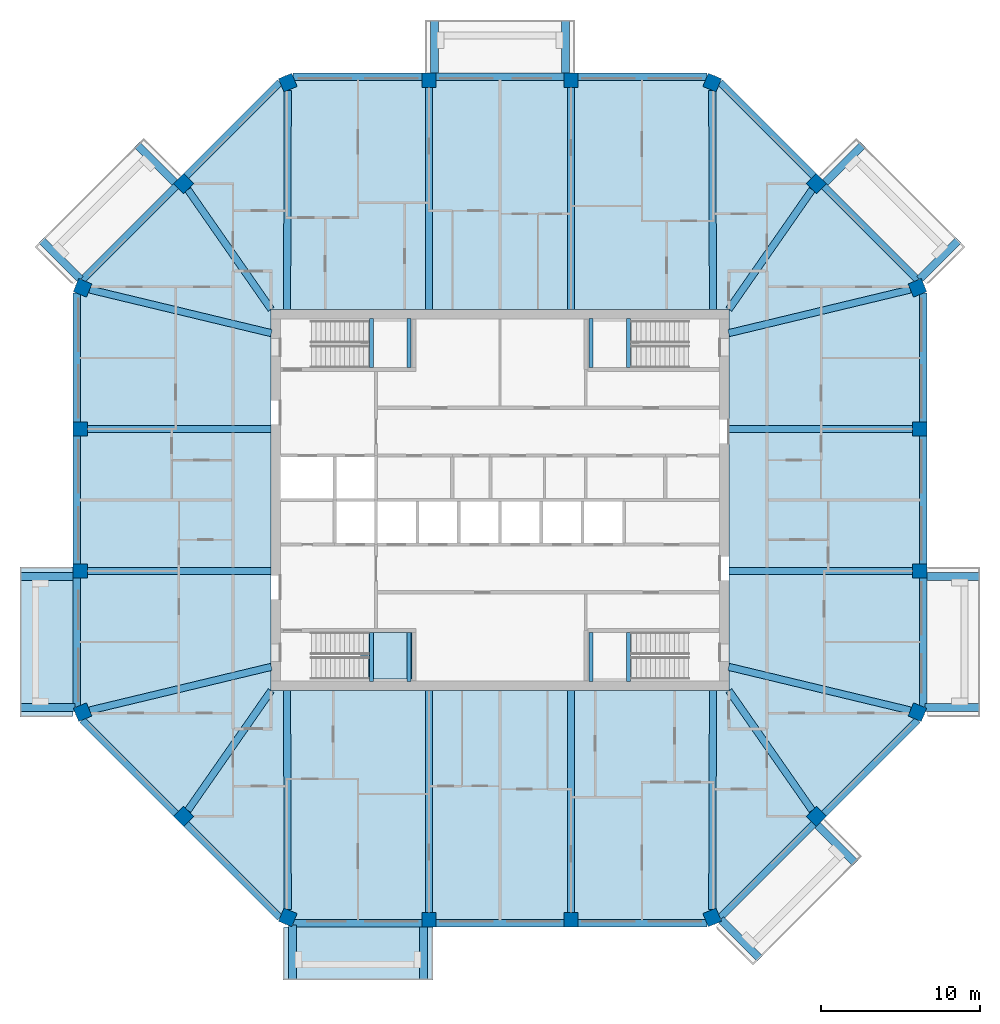
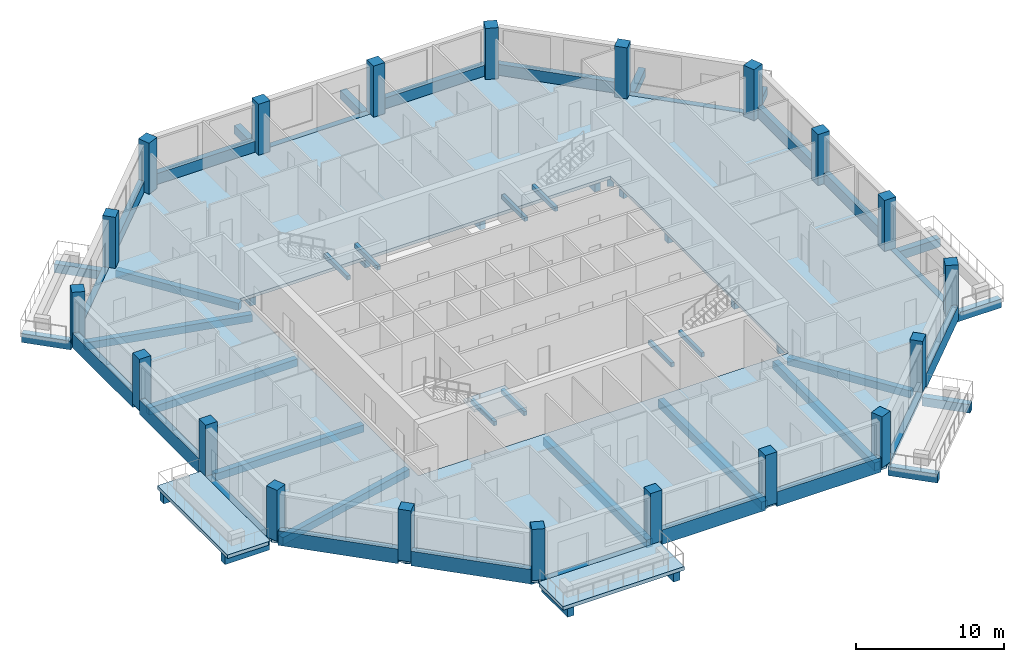
# One storey, part 1 of 11: 62 beams, 20 columns, 4 slabs, 1 element without a shape of its own.
"""IFC4 building model written with IfcOpenShell, lengths in metres."""

from ifc_helpers import new_model, si_unit, direction, frame, origin, origin_2d, place, context, subcontext, project, spatial, polyline, rectangle, outline, extrude, material, layer, layer_set, material_profile, profile_set, type_object, element, aggregate, save


model = new_model("IFC4")

# Units and contexts
model_context = context("Model", 3, precision=1e-05, world=origin(), true_north=direction((0.0, 1.0)))
body_context = subcontext(model_context, "Body", "Model", "MODEL_VIEW")
ifc_project = project(units=[si_unit("LENGTHUNIT", "METRE"), si_unit("AREAUNIT", "SQUARE_METRE"), si_unit("VOLUMEUNIT", "CUBIC_METRE"), si_unit("PLANEANGLEUNIT", "RADIAN"), si_unit("MASSUNIT", "GRAM", prefix="KILO")], contexts=[model_context])

# Site, building, storey
site_placement = place(None, origin())
site = spatial("IfcSite", under=ifc_project, at=site_placement, CompositionType="ELEMENT")
building_placement = place(site_placement, origin())
building = spatial("IfcBuilding", under=site, at=building_placement, Name="Msitu Wima Residences", CompositionType="ELEMENT")
storey_placement = place(building_placement, frame((0.0, 0.0, 230.699951171875)))
storey = spatial("IfcBuildingStorey", under=building, at=storey_placement, Name="L53", CompositionType="ELEMENT", Elevation=230.699951171875)

# Columns
ifc_material_1 = material(Name="Concrete C50/60", Category="concrete")
ifc_material_profile_1 = material_profile(ifc_material_1, rectangle(XDim=0.89990234375, YDim=0.89990234375, at=origin_2d()), Name="RC 900x900")
ifc_profile_set_1 = profile_set([ifc_material_profile_1], Name="Concrete C50/60")
column_type = type_object("IfcColumnType", Name="Column RC 900x900 Concrete C50/60", PredefinedType="COLUMN", material=ifc_profile_set_1)
for number, where, z_axis, x_axis, name in (
    (1, (26.261962890625, -13.3486328125, 0.0), (0.0, 0.0, 1.0), (0.382683496864, 0.923879505795, 0.0), "Column L53 C-E0"),
    (2, (26.39990234375, -4.46875, 0.0), (0.0, 0.0, 1.0), (0.0, 1.0, 0.0), "Column L53 C-E1"),
    (3, (26.39990234375, 4.46875, 0.0), (0.0, 0.0, 1.0), (0.0, 1.0, 0.0), "Column L53 C-E2"),
    (4, (26.261962890625, 13.3486328125, 0.0), (0.0, 0.0, 1.0), (-0.382683496864, 0.923879505795, 0.0), "Column L53 C-NE0"),
    (5, (19.90283203125, 19.90283203125, 0.0), (0.0, 0.0, 1.0), (-0.707106781187, 0.707106781187, 0.0), "Column L53 C-NE1"),
    (6, (13.3486328125, 26.261962890625, 0.0), (0.0, 0.0, 1.0), (-0.923879505795, 0.382683496864, 0.0), "Column L53 C-N0"),
    (7, (4.46875, 26.39990234375, 0.0), (0.0, 0.0, 1.0), (-1.0, 0.0, 0.0), "Column L53 C-N1"),
    (8, (-4.46875, 26.39990234375, 0.0), (0.0, 0.0, 1.0), (-1.0, 0.0, 0.0), "Column L53 C-N2"),
    (9, (-13.3486328125, 26.261962890625, 0.0), (0.0, 0.0, 1.0), (-0.923879505795, -0.382683496864, 0.0), "Column L53 C-NW0"),
    (10, (-19.90283203125, 19.90283203125, 0.0), (0.0, 0.0, 1.0), (-0.707106781187, -0.707106781187, 0.0), "Column L53 C-NW1"),
    (11, (-26.261962890625, 13.3486328125, 0.0), (0.0, 0.0, 1.0), (-0.382683496864, -0.923879505795, 0.0), "Column L53 C-W0"),
    (12, (-26.39990234375, 4.46875, 0.0), (0.0, 0.0, 1.0), (0.0, -1.0, 0.0), "Column L53 C-W1"),
    (13, (-26.39990234375, -4.46875, 0.0), (0.0, 0.0, 1.0), (0.0, -1.0, 0.0), "Column L53 C-W2"),
    (14, (-26.261962890625, -13.3486328125, 0.0), (0.0, 0.0, 1.0), (0.382683496864, -0.923879505795, 0.0), "Column L53 C-SW0"),
    (15, (-19.90283203125, -19.90283203125, 0.0), (0.0, 0.0, 1.0), (0.707106781187, -0.707106781187, 0.0), "Column L53 C-SW1"),
    (16, (-13.3486328125, -26.261962890625, 0.0), (0.0, 0.0, 1.0), (0.923879505795, -0.382683496864, 0.0), "Column L53 C-S0"),
    (17, (-4.46875, -26.39990234375, 0.0), (0.0, 0.0, 1.0), (1.0, 0.0, 0.0), "Column L53 C-S1"),
    (18, (4.46875, -26.39990234375, 0.0), (0.0, 0.0, 1.0), (1.0, 0.0, 0.0), "Column L53 C-S2"),
    (19, (13.3486328125, -26.261962890625, 0.0), (0.0, 0.0, 1.0), (0.923879505795, 0.382683496864, 0.0), "Column L53 C-SE0"),
    (20, (19.90283203125, -19.90283203125, 0.0), (0.0, 0.0, 1.0), (0.707106781187, 0.707106781187, 0.0), "Column L53 C-SE1"),
):
    element("IfcColumn", number, at=place(storey_placement, frame(where, z_axis=z_axis, x_axis=x_axis)), inside=storey, type_object=column_type, Name=name, PredefinedType="COLUMN", context=body_context, shape_type="SweptSolid", body=[
        extrude(rectangle(XDim=0.89990234375, YDim=0.89990234375, at=origin_2d()), origin(), (0.0, 0.0, 1.0), 4.199951171875),
    ])

# Beams
ifc_material_profile_2 = material_profile(ifc_material_1, rectangle(XDim=0.449951171875, YDim=0.60009765625, at=origin_2d()), Name="RC 450x600")
ifc_profile_set_2 = profile_set([ifc_material_profile_2], Name="Concrete C50/60")
beam_type_1 = type_object("IfcBeamType", Name="Beam RC 450x600 Concrete C50/60", PredefinedType="BEAM", material=ifc_profile_set_2)
beam_1_placement = place(storey_placement, frame((25.819091796875, -13.242431640625, -0.550048828125), z_axis=(-0.972353359268, 0.233514335148, 0.0), x_axis=(-0.233514335148, -0.972353359268, 0.0)))
element("IfcBeam", 21, at=beam_1_placement, inside=storey, type_object=beam_type_1, Name="Beam L53 C-E0", PredefinedType="BEAM", context=body_context, shape_type="SweptSolid", body=[
    extrude(rectangle(XDim=0.449951171875, YDim=0.60009765625, at=origin_2d()), origin(), (0.0, 0.0, 1.0), 11.755615234375),
])
for number, where, z_axis, x_axis, name in (
    (22, (25.949951171875, -4.46875, -0.550048828125), (-1.0, 0.0, 0.0), (0.0, -1.0, 0.0), "Beam L53 C-E1"),
    (23, (25.949951171875, 4.46875, -0.550048828125), (-1.0, 0.0, 0.0), (0.0, -1.0, 0.0), "Beam L53 C-E2"),
):
    element("IfcBeam", number, at=place(storey_placement, frame(where, z_axis=z_axis, x_axis=x_axis)), inside=storey, type_object=beam_type_1, Name=name, PredefinedType="BEAM", context=body_context, shape_type="SweptSolid", body=[
        extrude(rectangle(XDim=0.449951171875, YDim=0.60009765625, at=origin_2d()), origin(), (0.0, 0.0, 1.0), 11.550048828125),
    ])
beam_2_placement = place(storey_placement, frame((25.819091796875, 13.242431640625, -0.550048828125), z_axis=(-0.972353359268, -0.233514335148, 0.0), x_axis=(0.233514335148, -0.972353359268, 0.0)))
element("IfcBeam", 24, at=beam_2_placement, inside=storey, type_object=beam_type_1, Name="Beam L53 C-NE0", PredefinedType="BEAM", context=body_context, shape_type="SweptSolid", body=[
    extrude(rectangle(XDim=0.449951171875, YDim=0.60009765625, at=origin_2d()), origin(), (0.0, 0.0, 1.0), 11.755615234375),
])
for number, where, z_axis, x_axis, name in (
    (25, (19.6416015625, 19.52783203125, -0.550048828125), (-0.571427822633, -0.820652328042, 0.0), (0.820652328042, -0.571427822633, 0.0), "Beam L53 C-NE1"),
    (26, (-19.6416015625, 19.52783203125, -0.550048828125), (0.571427822633, -0.820652328042, 0.0), (0.820652328042, 0.571427822633, 0.0), "Beam L53 C-NW1"),
):
    element("IfcBeam", number, at=place(storey_placement, frame(where, z_axis=z_axis, x_axis=x_axis)), inside=storey, type_object=beam_type_1, Name=name, PredefinedType="BEAM", context=body_context, shape_type="SweptSolid", body=[
        extrude(rectangle(XDim=0.449951171875, YDim=0.60009765625, at=origin_2d()), origin(), (0.0, 0.0, 1.0), 9.173095703125),
    ])
beam_3_placement = place(storey_placement, frame((-25.819091796875, 13.242431640625, -0.550048828125), z_axis=(0.972353359268, -0.233514335148, 0.0), x_axis=(0.233514335148, 0.972353359268, 0.0)))
element("IfcBeam", 27, at=beam_3_placement, inside=storey, type_object=beam_type_1, Name="Beam L53 C-W0", PredefinedType="BEAM", context=body_context, shape_type="SweptSolid", body=[
    extrude(rectangle(XDim=0.449951171875, YDim=0.60009765625, at=origin_2d()), origin(), (0.0, 0.0, 1.0), 11.755615234375),
])
for number, where, z_axis, x_axis, name in (
    (28, (-25.949951171875, 4.46875, -0.550048828125), (1.0, 0.0, 0.0), (0.0, 1.0, 0.0), "Beam L53 C-W1"),
    (29, (-25.949951171875, -4.46875, -0.550048828125), (1.0, 0.0, 0.0), (0.0, 1.0, 0.0), "Beam L53 C-W2"),
):
    element("IfcBeam", number, at=place(storey_placement, frame(where, z_axis=z_axis, x_axis=x_axis)), inside=storey, type_object=beam_type_1, Name=name, PredefinedType="BEAM", context=body_context, shape_type="SweptSolid", body=[
        extrude(rectangle(XDim=0.449951171875, YDim=0.60009765625, at=origin_2d()), origin(), (0.0, 0.0, 1.0), 11.550048828125),
    ])
beam_4_placement = place(storey_placement, frame((-25.819091796875, -13.242431640625, -0.550048828125), z_axis=(0.972353359268, 0.233514335148, 0.0), x_axis=(-0.233514335148, 0.972353359268, 0.0)))
element("IfcBeam", 30, at=beam_4_placement, inside=storey, type_object=beam_type_1, Name="Beam L53 C-SW0", PredefinedType="BEAM", context=body_context, shape_type="SweptSolid", body=[
    extrude(rectangle(XDim=0.449951171875, YDim=0.60009765625, at=origin_2d()), origin(), (0.0, 0.0, 1.0), 11.755615234375),
])
for number, where, z_axis, x_axis, name in (
    (31, (-19.6416015625, -19.52783203125, -0.550048828125), (0.571427822633, 0.820652328042, 0.0), (-0.820652328042, 0.571427822633, 0.0), "Beam L53 C-SW1"),
    (32, (19.6416015625, -19.52783203125, -0.550048828125), (-0.571427822633, 0.820652328042, 0.0), (-0.820652328042, -0.571427822633, 0.0), "Beam L53 C-SE1"),
):
    element("IfcBeam", number, at=place(storey_placement, frame(where, z_axis=z_axis, x_axis=x_axis)), inside=storey, type_object=beam_type_1, Name=name, PredefinedType="BEAM", context=body_context, shape_type="SweptSolid", body=[
        extrude(rectangle(XDim=0.449951171875, YDim=0.60009765625, at=origin_2d()), origin(), (0.0, 0.0, 1.0), 9.173095703125),
    ])
ifc_material_profile_3 = material_profile(ifc_material_1, rectangle(XDim=0.449951171875, YDim=0.64990234375, at=origin_2d()), Name="RC 450x650")
ifc_profile_set_3 = profile_set([ifc_material_profile_3], Name="Concrete C50/60")
beam_type_2 = type_object("IfcBeamType", Name="Beam RC 450x650 Concrete C50/60", PredefinedType="BEAM", material=ifc_profile_set_3)
beam_5_placement = place(storey_placement, frame((13.3505859375, 25.774169921875, -0.574951171875), z_axis=(0.003594933206, -0.999993538207, 0.0), x_axis=(0.999993538207, 0.003594933206, 0.0)))
element("IfcBeam", 33, at=beam_5_placement, inside=storey, type_object=beam_type_2, Name="Beam L53 C-N0", PredefinedType="BEAM", context=body_context, shape_type="SweptSolid", body=[
    extrude(rectangle(XDim=0.449951171875, YDim=0.64990234375, at=origin_2d()), origin(), (0.0, 0.0, 1.0), 13.7861328125),
])
for number, where, z_axis, x_axis, name in (
    (34, (4.46875, 25.949951171875, -0.574951171875), (0.0, -1.0, 0.0), (1.0, 0.0, 0.0), "Beam L53 C-N1"),
    (35, (-4.46875, 25.949951171875, -0.574951171875), (0.0, -1.0, 0.0), (1.0, 0.0, 0.0), "Beam L53 C-N2"),
):
    element("IfcBeam", number, at=place(storey_placement, frame(where, z_axis=z_axis, x_axis=x_axis)), inside=storey, type_object=beam_type_2, Name=name, PredefinedType="BEAM", context=body_context, shape_type="SweptSolid", body=[
        extrude(rectangle(XDim=0.449951171875, YDim=0.64990234375, at=origin_2d()), origin(), (0.0, 0.0, 1.0), 13.949951171875),
    ])
for number, where, z_axis, x_axis, name in (
    (36, (-13.3505859375, 25.774169921875, -0.574951171875), (-0.003594933206, -0.999993538207, 0.0), (0.999993538207, -0.003594933206, 0.0), "Beam L53 C-NW0"),
    (37, (-13.3505859375, -25.774169921875, -0.574951171875), (-0.003594933206, 0.999993538207, 0.0), (-0.999993538207, -0.003594933206, 0.0), "Beam L53 C-S0"),
):
    element("IfcBeam", number, at=place(storey_placement, frame(where, z_axis=z_axis, x_axis=x_axis)), inside=storey, type_object=beam_type_2, Name=name, PredefinedType="BEAM", context=body_context, shape_type="SweptSolid", body=[
        extrude(rectangle(XDim=0.449951171875, YDim=0.64990234375, at=origin_2d()), origin(), (0.0, 0.0, 1.0), 13.7861328125),
    ])
for number, where, z_axis, x_axis, name in (
    (38, (-4.46875, -25.949951171875, -0.574951171875), (0.0, 1.0, 0.0), (-1.0, 0.0, 0.0), "Beam L53 C-S1"),
    (39, (4.46875, -25.949951171875, -0.574951171875), (0.0, 1.0, 0.0), (-1.0, 0.0, 0.0), "Beam L53 C-S2"),
):
    element("IfcBeam", number, at=place(storey_placement, frame(where, z_axis=z_axis, x_axis=x_axis)), inside=storey, type_object=beam_type_2, Name=name, PredefinedType="BEAM", context=body_context, shape_type="SweptSolid", body=[
        extrude(rectangle(XDim=0.449951171875, YDim=0.64990234375, at=origin_2d()), origin(), (0.0, 0.0, 1.0), 13.949951171875),
    ])
beam_6_placement = place(storey_placement, frame((13.3505859375, -25.774169921875, -0.574951171875), z_axis=(0.003594933206, 0.999993538207, 0.0), x_axis=(-0.999993538207, 0.003594933206, 0.0)))
element("IfcBeam", 40, at=beam_6_placement, inside=storey, type_object=beam_type_2, Name="Beam L53 C-SE0", PredefinedType="BEAM", context=body_context, shape_type="SweptSolid", body=[
    extrude(rectangle(XDim=0.449951171875, YDim=0.64990234375, at=origin_2d()), origin(), (0.0, 0.0, 1.0), 13.7861328125),
])
ifc_material_profile_4 = material_profile(ifc_material_1, rectangle(XDim=0.5, YDim=0.699951171875, at=origin_2d()), Name="RC 500x700")
ifc_profile_set_4 = profile_set([ifc_material_profile_4], Name="Concrete C50/60")
beam_type_3 = type_object("IfcBeamType", Name="Cantilever beam RC 500x700 Concrete C50/60", PredefinedType="BEAM", material=ifc_profile_set_4)
beam_7_placement = place(storey_placement, frame((26.73095703125, -13.055908203125, -0.64990234375), z_axis=(1.0, 0.0, 0.0), x_axis=(0.0, 1.0, 0.0)))
element("IfcBeam", 41, at=beam_7_placement, inside=storey, type_object=beam_type_3, Name="Cantilever beam L53 BA-E0 A", PredefinedType="BEAM", context=body_context, shape_type="SweptSolid", body=[
    extrude(rectangle(XDim=0.5, YDim=0.699951171875, at=origin_2d()), origin(), (0.0, 0.0, 1.0), 3.468994140625),
])
beam_8_placement = place(storey_placement, frame((26.85009765625, -4.818603515625, -0.64990234375), z_axis=(1.0, 0.0, 0.0), x_axis=(0.0, 1.0, 0.0)))
element("IfcBeam", 42, at=beam_8_placement, inside=storey, type_object=beam_type_3, Name="Cantilever beam L53 BA-E0 B", PredefinedType="BEAM", context=body_context, shape_type="SweptSolid", body=[
    extrude(rectangle(XDim=0.5, YDim=0.699951171875, at=origin_2d()), origin(), (0.0, 0.0, 1.0), 3.349853515625),
])
beam_9_placement = place(storey_placement, frame((26.386474609375, 13.887451171875, -0.64990234375), z_axis=(0.707141968506, 0.707071592116, 0.0), x_axis=(-0.707071592116, 0.707141968506, 0.0)))
element("IfcBeam", 43, at=beam_9_placement, inside=storey, type_object=beam_type_3, Name="Cantilever beam L53 BA-NE0 A", PredefinedType="BEAM", context=body_context, shape_type="SweptSolid", body=[
    extrude(rectangle(XDim=0.5, YDim=0.699951171875, at=origin_2d()), origin(), (0.0, 0.0, 1.0), 3.468994140625),
])
for number, where, z_axis, x_axis, name in (
    (44, (20.46875, 19.9736328125, -0.64990234375), (0.707070340836, 0.707143219659, 0.0), (-0.707143219659, 0.707070340836, 0.0), "Cantilever beam L53 BA-NE0 B"),
    (45, (4.11865234375, 26.85009765625, -0.64990234375), (0.0, 1.0, 0.0), (-1.0, 0.0, 0.0), "Cantilever beam L53 BA-N1 A"),
    (46, (-4.11865234375, 26.85009765625, -0.64990234375), (0.0, 1.0, 0.0), (-1.0, 0.0, 0.0), "Cantilever beam L53 BA-N1 B"),
    (47, (-20.46875, 19.9736328125, -0.64990234375), (-0.707070340836, 0.707143219659, 0.0), (-0.707143219659, -0.707070340836, 0.0), "Cantilever beam L53 BA-NW1 A"),
):
    element("IfcBeam", number, at=place(storey_placement, frame(where, z_axis=z_axis, x_axis=x_axis)), inside=storey, type_object=beam_type_3, Name=name, PredefinedType="BEAM", context=body_context, shape_type="SweptSolid", body=[
        extrude(rectangle(XDim=0.5, YDim=0.699951171875, at=origin_2d()), origin(), (0.0, 0.0, 1.0), 3.349853515625),
    ])
beam_10_placement = place(storey_placement, frame((-26.386474609375, 13.887451171875, -0.64990234375), z_axis=(-0.707141968506, 0.707071592116, 0.0), x_axis=(-0.707071592116, -0.707141968506, 0.0)))
element("IfcBeam", 48, at=beam_10_placement, inside=storey, type_object=beam_type_3, Name="Cantilever beam L53 BA-NW1 B", PredefinedType="BEAM", context=body_context, shape_type="SweptSolid", body=[
    extrude(rectangle(XDim=0.5, YDim=0.699951171875, at=origin_2d()), origin(), (0.0, 0.0, 1.0), 3.468994140625),
])
beam_11_placement = place(storey_placement, frame((-26.85009765625, -4.818603515625, -0.64990234375), z_axis=(-1.0, 0.0, 0.0), x_axis=(0.0, -1.0, 0.0)))
element("IfcBeam", 49, at=beam_11_placement, inside=storey, type_object=beam_type_3, Name="Cantilever beam L53 BA-W2 A", PredefinedType="BEAM", context=body_context, shape_type="SweptSolid", body=[
    extrude(rectangle(XDim=0.5, YDim=0.699951171875, at=origin_2d()), origin(), (0.0, 0.0, 1.0), 3.349853515625),
])
for number, where, z_axis, x_axis, name in (
    (50, (-26.73095703125, -13.055908203125, -0.64990234375), (-1.0, 0.0, 0.0), (0.0, -1.0, 0.0), "Cantilever beam L53 BA-W2 B"),
    (51, (-13.055908203125, -26.73095703125, -0.64990234375), (0.0, -1.0, 0.0), (1.0, 0.0, 0.0), "Cantilever beam L53 BA-S0 A"),
):
    element("IfcBeam", number, at=place(storey_placement, frame(where, z_axis=z_axis, x_axis=x_axis)), inside=storey, type_object=beam_type_3, Name=name, PredefinedType="BEAM", context=body_context, shape_type="SweptSolid", body=[
        extrude(rectangle(XDim=0.5, YDim=0.699951171875, at=origin_2d()), origin(), (0.0, 0.0, 1.0), 3.468994140625),
    ])
beam_12_placement = place(storey_placement, frame((-4.818603515625, -26.85009765625, -0.64990234375), z_axis=(0.0, -1.0, 0.0), x_axis=(1.0, 0.0, 0.0)))
element("IfcBeam", 52, at=beam_12_placement, inside=storey, type_object=beam_type_3, Name="Cantilever beam L53 BA-S0 B", PredefinedType="BEAM", context=body_context, shape_type="SweptSolid", body=[
    extrude(rectangle(XDim=0.5, YDim=0.699951171875, at=origin_2d()), origin(), (0.0, 0.0, 1.0), 3.349853515625),
])
beam_13_placement = place(storey_placement, frame((13.887451171875, -26.386474609375, -0.64990234375), z_axis=(0.707071592116, -0.707141968506, 0.0), x_axis=(0.707141968506, 0.707071592116, 0.0)))
element("IfcBeam", 53, at=beam_13_placement, inside=storey, type_object=beam_type_3, Name="Cantilever beam L53 BA-SE0 A", PredefinedType="BEAM", context=body_context, shape_type="SweptSolid", body=[
    extrude(rectangle(XDim=0.5, YDim=0.699951171875, at=origin_2d()), origin(), (0.0, 0.0, 1.0), 3.468994140625),
])
beam_14_placement = place(storey_placement, frame((19.9736328125, -20.46875, -0.64990234375), z_axis=(0.707143219659, -0.707070340836, 0.0), x_axis=(0.707070340836, 0.707143219659, 0.0)))
element("IfcBeam", 54, at=beam_14_placement, inside=storey, type_object=beam_type_3, Name="Cantilever beam L53 BA-SE0 B", PredefinedType="BEAM", context=body_context, shape_type="SweptSolid", body=[
    extrude(rectangle(XDim=0.5, YDim=0.699951171875, at=origin_2d()), origin(), (0.0, 0.0, 1.0), 3.349853515625),
])
ifc_material_profile_5 = material_profile(ifc_material_1, rectangle(XDim=0.449951171875, YDim=0.300048828125, at=origin_2d()), Name="RC 450x300")
ifc_profile_set_5 = profile_set([ifc_material_profile_5], Name="Concrete C50/60")
beam_type_4 = type_object("IfcBeamType", Name="Edge beam RC 450x300 Concrete C50/60", PredefinedType="SPANDREL", material=ifc_profile_set_5)
beam_15_placement = place(storey_placement, frame((26.625, -13.02392578125, -0.14990234375), z_axis=(0.0, 1.0, 0.0), x_axis=(-1.0, 0.0, 0.0)))
element("IfcBeam", 55, at=beam_15_placement, inside=storey, type_object=beam_type_4, Name="Spandrel L53 E0", PredefinedType="SPANDREL", context=body_context, shape_type="SweptSolid", body=[
    extrude(rectangle(XDim=0.449951171875, YDim=0.300048828125, at=origin_2d()), origin(), (0.0, 0.0, 1.0), 8.105224609375),
])
beam_16_placement = place(storey_placement, frame((26.2890625, 13.8349609375, -0.14990234375), z_axis=(-0.707106781187, 0.707106781187, 0.0), x_axis=(-0.707106781187, -0.707106781187, 0.0)))
element("IfcBeam", 56, at=beam_16_placement, inside=storey, type_object=beam_type_4, Name="Spandrel L53 NE0", PredefinedType="SPANDREL", context=body_context, shape_type="SweptSolid", body=[
    extrude(rectangle(XDim=0.449951171875, YDim=0.300048828125, at=origin_2d()), origin(), (0.0, 0.0, 1.0), 8.3564453125),
])
beam_17_placement = place(storey_placement, frame((4.0185546875, 26.625, -0.14990234375), z_axis=(-1.0, 0.0, 0.0), x_axis=(0.0, -1.0, 0.0)))
element("IfcBeam", 57, at=beam_17_placement, inside=storey, type_object=beam_type_4, Name="Spandrel L53 N1", PredefinedType="SPANDREL", context=body_context, shape_type="SweptSolid", body=[
    extrude(rectangle(XDim=0.449951171875, YDim=0.300048828125, at=origin_2d()), origin(), (0.0, 0.0, 1.0), 8.037109375),
])
beam_18_placement = place(storey_placement, frame((-20.380126953125, 19.743896484375, -0.14990234375), z_axis=(-0.707106781187, -0.707106781187, 0.0), x_axis=(0.707106781187, -0.707106781187, 0.0)))
element("IfcBeam", 58, at=beam_18_placement, inside=storey, type_object=beam_type_4, Name="Spandrel L53 NW1", PredefinedType="SPANDREL", context=body_context, shape_type="SweptSolid", body=[
    extrude(rectangle(XDim=0.449951171875, YDim=0.300048828125, at=origin_2d()), origin(), (0.0, 0.0, 1.0), 8.3564453125),
])
for number, where, z_axis, x_axis, name in (
    (59, (-26.625, -4.918701171875, -0.14990234375), (0.0, -1.0, 0.0), (1.0, 0.0, 0.0), "Spandrel L53 W2"),
    (60, (-13.02392578125, -26.625, -0.14990234375), (1.0, 0.0, 0.0), (0.0, 1.0, 0.0), "Spandrel L53 S0"),
):
    element("IfcBeam", number, at=place(storey_placement, frame(where, z_axis=z_axis, x_axis=x_axis)), inside=storey, type_object=beam_type_4, Name=name, PredefinedType="SPANDREL", context=body_context, shape_type="SweptSolid", body=[
        extrude(rectangle(XDim=0.449951171875, YDim=0.300048828125, at=origin_2d()), origin(), (0.0, 0.0, 1.0), 8.105224609375),
    ])
beam_19_placement = place(storey_placement, frame((13.8349609375, -26.2890625, -0.14990234375), z_axis=(0.707106781187, 0.707106781187, 0.0), x_axis=(-0.707106781187, 0.707106781187, 0.0)))
element("IfcBeam", 61, at=beam_19_placement, inside=storey, type_object=beam_type_4, Name="Spandrel L53 SE0", PredefinedType="SPANDREL", context=body_context, shape_type="SweptSolid", body=[
    extrude(rectangle(XDim=0.449951171875, YDim=0.300048828125, at=origin_2d()), origin(), (0.0, 0.0, 1.0), 8.3564453125),
])
ifc_material_2 = material(Name="Concrete C40/50", Category="concrete")
ifc_material_profile_6 = material_profile(ifc_material_2, rectangle(XDim=0.25, YDim=0.35009765625, at=origin_2d()), Name="RC 250x350")
ifc_profile_set_6 = profile_set([ifc_material_profile_6], Name="Concrete C40/50")
beam_type_5 = type_object("IfcBeamType", Name="Landing beam RC 250x350", PredefinedType="BEAM", material=ifc_profile_set_6)
for number, where, z_axis, x_axis, name in (
    (62, (-8.074951171875, 8.324951171875, 1.72509765625), (0.0, 1.0, 0.0), (-1.0, 0.0, 0.0), "Stair 1 landing beam"),
    (63, (-5.72509765625, 8.324951171875, 1.72509765625), (0.0, 1.0, 0.0), (-1.0, 0.0, 0.0), "Stair 1 landing beam"),
    (64, (-8.074951171875, -11.425048828125, 1.72509765625), (0.0, 1.0, 0.0), (-1.0, 0.0, 0.0), "Stair 2 landing beam"),
    (65, (-5.72509765625, -11.425048828125, 1.72509765625), (0.0, 1.0, 0.0), (-1.0, 0.0, 0.0), "Stair 2 landing beam"),
    (66, (8.074951171875, 8.324951171875, 1.72509765625), (0.0, 1.0, 0.0), (-1.0, 0.0, 0.0), "Stair 3 landing beam"),
    (67, (5.72509765625, 8.324951171875, 1.72509765625), (0.0, 1.0, 0.0), (-1.0, 0.0, 0.0), "Stair 3 landing beam"),
    (68, (8.074951171875, -11.425048828125, 1.72509765625), (0.0, 1.0, 0.0), (-1.0, 0.0, 0.0), "Stair 4 landing beam"),
    (69, (5.72509765625, -11.425048828125, 1.72509765625), (0.0, 1.0, 0.0), (-1.0, 0.0, 0.0), "Stair 4 landing beam"),
):
    element("IfcBeam", number, at=place(storey_placement, frame(where, z_axis=z_axis, x_axis=x_axis)), inside=storey, type_object=beam_type_5, Name=name, PredefinedType="BEAM", context=body_context, shape_type="SweptSolid", body=[
        extrude(rectangle(XDim=0.25, YDim=0.35009765625, at=origin_2d()), origin(), (0.0, 0.0, 1.0), 3.10009765625),
    ])
ifc_material_profile_7 = material_profile(ifc_material_1, rectangle(XDim=0.449951171875, YDim=1.199951171875, at=origin_2d()), Name="RC 450x1200")
ifc_profile_set_7 = profile_set([ifc_material_profile_7], Name="Concrete C50/60")
beam_type_6 = type_object("IfcBeamType", Name="Spandrel RC 450x1200 Concrete C50/60", PredefinedType="SPANDREL", material=ifc_profile_set_7)
beam_20_placement = place(storey_placement, frame((26.625, -4.0185546875, 0.300048828125), z_axis=(0.0, 1.0, 0.0), x_axis=(-1.0, 0.0, 0.0)))
element("IfcBeam", 70, at=beam_20_placement, inside=storey, type_object=beam_type_6, Name="Spandrel L53 E1", PredefinedType="SPANDREL", context=body_context, shape_type="SweptSolid", body=[
    extrude(rectangle(XDim=0.449951171875, YDim=1.199951171875, at=origin_2d()), origin(), (0.0, 0.0, 1.0), 8.037109375),
])
beam_21_placement = place(storey_placement, frame((26.625, 4.918701171875, 0.300048828125), z_axis=(0.0, 1.0, 0.0), x_axis=(-1.0, 0.0, 0.0)))
element("IfcBeam", 71, at=beam_21_placement, inside=storey, type_object=beam_type_6, Name="Spandrel L53 E2", PredefinedType="SPANDREL", context=body_context, shape_type="SweptSolid", body=[
    extrude(rectangle(XDim=0.449951171875, YDim=1.199951171875, at=origin_2d()), origin(), (0.0, 0.0, 1.0), 8.105224609375),
])
beam_22_placement = place(storey_placement, frame((19.743896484375, 20.380126953125, 0.300048828125), z_axis=(-0.707106781187, 0.707106781187, 0.0), x_axis=(-0.707106781187, -0.707106781187, 0.0)))
element("IfcBeam", 72, at=beam_22_placement, inside=storey, type_object=beam_type_6, Name="Spandrel L53 NE1", PredefinedType="SPANDREL", context=body_context, shape_type="SweptSolid", body=[
    extrude(rectangle(XDim=0.449951171875, YDim=1.199951171875, at=origin_2d()), origin(), (0.0, 0.0, 1.0), 8.3564453125),
])
for number, where, z_axis, x_axis, name in (
    (73, (13.02392578125, 26.625, 0.300048828125), (-1.0, 0.0, 0.0), (0.0, -1.0, 0.0), "Spandrel L53 N0"),
    (74, (-4.918701171875, 26.625, 0.300048828125), (-1.0, 0.0, 0.0), (0.0, -1.0, 0.0), "Spandrel L53 N2"),
):
    element("IfcBeam", number, at=place(storey_placement, frame(where, z_axis=z_axis, x_axis=x_axis)), inside=storey, type_object=beam_type_6, Name=name, PredefinedType="SPANDREL", context=body_context, shape_type="SweptSolid", body=[
        extrude(rectangle(XDim=0.449951171875, YDim=1.199951171875, at=origin_2d()), origin(), (0.0, 0.0, 1.0), 8.105224609375),
    ])
beam_23_placement = place(storey_placement, frame((-13.8349609375, 26.2890625, 0.300048828125), z_axis=(-0.707106781187, -0.707106781187, 0.0), x_axis=(0.707106781187, -0.707106781187, 0.0)))
element("IfcBeam", 75, at=beam_23_placement, inside=storey, type_object=beam_type_6, Name="Spandrel L53 NW0", PredefinedType="SPANDREL", context=body_context, shape_type="SweptSolid", body=[
    extrude(rectangle(XDim=0.449951171875, YDim=1.199951171875, at=origin_2d()), origin(), (0.0, 0.0, 1.0), 8.3564453125),
])
beam_24_placement = place(storey_placement, frame((-26.625, 13.02392578125, 0.300048828125), z_axis=(0.0, -1.0, 0.0), x_axis=(1.0, 0.0, 0.0)))
element("IfcBeam", 76, at=beam_24_placement, inside=storey, type_object=beam_type_6, Name="Spandrel L53 W0", PredefinedType="SPANDREL", context=body_context, shape_type="SweptSolid", body=[
    extrude(rectangle(XDim=0.449951171875, YDim=1.199951171875, at=origin_2d()), origin(), (0.0, 0.0, 1.0), 8.105224609375),
])
beam_25_placement = place(storey_placement, frame((-26.625, 4.0185546875, 0.300048828125), z_axis=(0.0, -1.0, 0.0), x_axis=(1.0, 0.0, 0.0)))
element("IfcBeam", 77, at=beam_25_placement, inside=storey, type_object=beam_type_6, Name="Spandrel L53 W1", PredefinedType="SPANDREL", context=body_context, shape_type="SweptSolid", body=[
    extrude(rectangle(XDim=0.449951171875, YDim=1.199951171875, at=origin_2d()), origin(), (0.0, 0.0, 1.0), 8.037109375),
])
for number, where, z_axis, x_axis, name in (
    (78, (-26.2890625, -13.8349609375, 0.300048828125), (0.707106781187, -0.707106781187, 0.0), (0.707106781187, 0.707106781187, 0.0), "Spandrel L53 SW0"),
    (79, (-19.743896484375, -20.380126953125, 0.300048828125), (0.707106781187, -0.707106781187, 0.0), (0.707106781187, 0.707106781187, 0.0), "Spandrel L53 SW1"),
):
    element("IfcBeam", number, at=place(storey_placement, frame(where, z_axis=z_axis, x_axis=x_axis)), inside=storey, type_object=beam_type_6, Name=name, PredefinedType="SPANDREL", context=body_context, shape_type="SweptSolid", body=[
        extrude(rectangle(XDim=0.449951171875, YDim=1.199951171875, at=origin_2d()), origin(), (0.0, 0.0, 1.0), 8.3564453125),
    ])
beam_26_placement = place(storey_placement, frame((-4.0185546875, -26.625, 0.300048828125), z_axis=(1.0, 0.0, 0.0), x_axis=(0.0, 1.0, 0.0)))
element("IfcBeam", 80, at=beam_26_placement, inside=storey, type_object=beam_type_6, Name="Spandrel L53 S1", PredefinedType="SPANDREL", context=body_context, shape_type="SweptSolid", body=[
    extrude(rectangle(XDim=0.449951171875, YDim=1.199951171875, at=origin_2d()), origin(), (0.0, 0.0, 1.0), 8.037109375),
])
beam_27_placement = place(storey_placement, frame((4.918701171875, -26.625, 0.300048828125), z_axis=(1.0, 0.0, 0.0), x_axis=(0.0, 1.0, 0.0)))
element("IfcBeam", 81, at=beam_27_placement, inside=storey, type_object=beam_type_6, Name="Spandrel L53 S2", PredefinedType="SPANDREL", context=body_context, shape_type="SweptSolid", body=[
    extrude(rectangle(XDim=0.449951171875, YDim=1.199951171875, at=origin_2d()), origin(), (0.0, 0.0, 1.0), 8.105224609375),
])
beam_28_placement = place(storey_placement, frame((20.380126953125, -19.743896484375, 0.300048828125), z_axis=(0.707106781187, 0.707106781187, 0.0), x_axis=(-0.707106781187, 0.707106781187, 0.0)))
element("IfcBeam", 82, at=beam_28_placement, inside=storey, type_object=beam_type_6, Name="Spandrel L53 SE1", PredefinedType="SPANDREL", context=body_context, shape_type="SweptSolid", body=[
    extrude(rectangle(XDim=0.449951171875, YDim=1.199951171875, at=origin_2d()), origin(), (0.0, 0.0, 1.0), 8.3564453125),
])

# Slabs
ifc_layer_1 = layer(ifc_material_2, 0.300048828125)
ifc_layer_set_1 = layer_set([ifc_layer_1], Name="Concrete C40/50")
slab_type_1 = type_object("IfcSlabType", Name="Balcony slab BS300", PredefinedType="FLOOR", material=ifc_layer_set_1)
slab_1_placement = place(storey_placement, frame((0.0, 0.0, -0.300048828125)))
element("IfcSlab", 83, at=slab_1_placement, inside=storey, type_object=slab_type_1, Name="Balcony W2 L53", PredefinedType="FLOOR", context=body_context, shape_type="SweptSolid", body=[
    extrude(outline(polyline([(-26.85009765625, -13.105224609375), (-26.85009765625, -13.105224609375), (-26.85009765625, -13.105224609375), (-26.85009765625, -13.59228515625), (-27.003662109375, -13.656005859375), (-30.199951171875, -13.656005859375), (-30.199951171875, -4.21875), (-26.85009765625, -4.21875), (-26.85009765625, -4.918701171875), (-26.85009765625, -13.105224609375)])), origin(), (0.0, 0.0, 1.0), 0.300048828125),
])
slab_2_placement = place(storey_placement, frame((0.0, 0.0, -0.300048828125)))
element("IfcSlab", 84, at=slab_2_placement, inside=storey, type_object=slab_type_1, Name="Balcony S0 L53", PredefinedType="FLOOR", context=body_context, shape_type="SweptSolid", body=[
    extrude(outline(polyline([(-13.105224609375, -26.85009765625), (-13.105224609375, -26.85009765625), (-4.918701171875, -26.85009765625), (-4.21875, -26.85009765625), (-4.21875, -30.199951171875), (-13.656005859375, -30.199951171875), (-13.656005859375, -27.003662109375), (-13.59228515625, -26.85009765625), (-13.105224609375, -26.85009765625), (-13.105224609375, -26.85009765625)])), origin(), (0.0, 0.0, 1.0), 0.300048828125),
])
ifc_layer_2 = layer(ifc_material_2, 0.25)
ifc_layer_set_2 = layer_set([ifc_layer_2], Name="Concrete C40/50")
slab_type_2 = type_object("IfcSlabType", Name="PT flat slab 250 Concrete C40/50", PredefinedType="FLOOR", material=ifc_layer_set_2)
slab_3_placement = place(storey_placement, frame((0.0, 0.0, -0.25)))
element("IfcSlab", 85, at=slab_3_placement, inside=storey, type_object=slab_type_2, Name="Floor slab L53", PredefinedType="FLOOR", context=body_context, shape_type="SweptSolid", body=[
    extrude(outline(polyline([(26.699951171875, -13.5302734375), (13.5302734375, -26.699951171875), (-13.5302734375, -26.699951171875), (-26.699951171875, -13.5302734375), (-26.699951171875, 13.5302734375), (-13.5302734375, 26.699951171875), (13.5302734375, 26.699951171875), (26.699951171875, 13.5302734375), (26.699951171875, -13.5302734375)]), holes=[polyline([(-14.39990234375, -12.0), (14.39990234375, -12.0), (14.39990234375, 12.0), (-14.39990234375, 12.0), (-14.39990234375, -12.0)])]), origin(), (0.0, 0.0, 1.0), 0.25),
])

# Stair, slab
stair_type = type_object("IfcStairType", Name="Exit stair ES1615-140", PredefinedType="HALF_TURN_STAIR", material=ifc_material_2)
stair_placement = place(storey_placement, origin())
stair = element("IfcStair", 86, at=stair_placement, inside=storey, type_object=stair_type, Name="Exit stair 2", PredefinedType="HALF_TURN_STAIR")
ifc_layer_3 = layer(ifc_material_2, 0.199951171875)
ifc_layer_set_3 = layer_set([ifc_layer_3], Name="Concrete C40/50")
slab_type_3 = type_object("IfcSlabType", Name="Stair landing SL200", PredefinedType="LANDING", material=ifc_layer_set_3)
slab_4_placement = place(storey_placement, frame((0.0, 0.0, 1.900146484375)))
slab_4 = element("IfcSlab", 87, at=slab_4_placement, type_object=slab_type_3, Name="S2 landing 1", PredefinedType="LANDING", context=body_context, shape_type="SweptSolid", body=[
    extrude(outline(polyline([(-5.52490234375, -11.27490234375), (-8.275390625, -11.27490234375), (-8.275390625, -9.800048828125), (-8.77490234375, -9.800048828125), (-8.77490234375, -8.324951171875), (-5.52490234375, -8.324951171875), (-5.52490234375, -11.27490234375)])), origin(), (0.0, 0.0, 1.0), 0.199951171875),
])
aggregate(stair, [slab_4])

save(model, "model.ifc")
